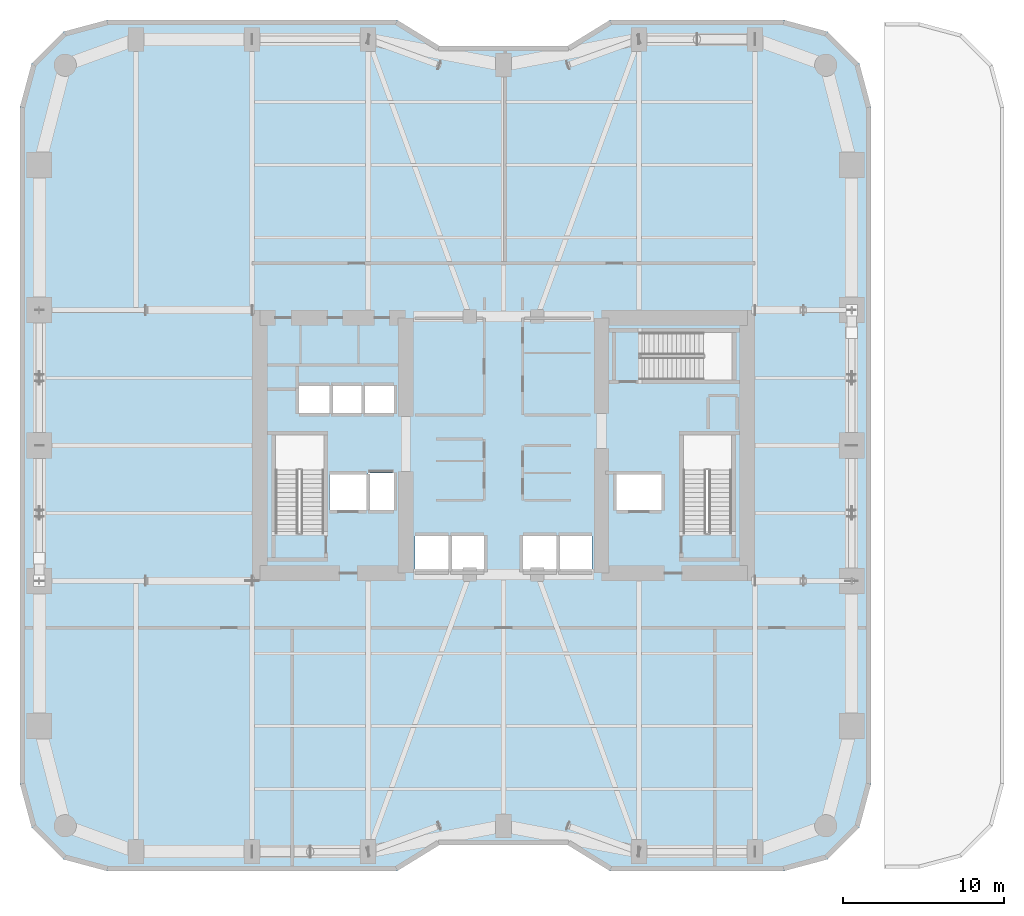
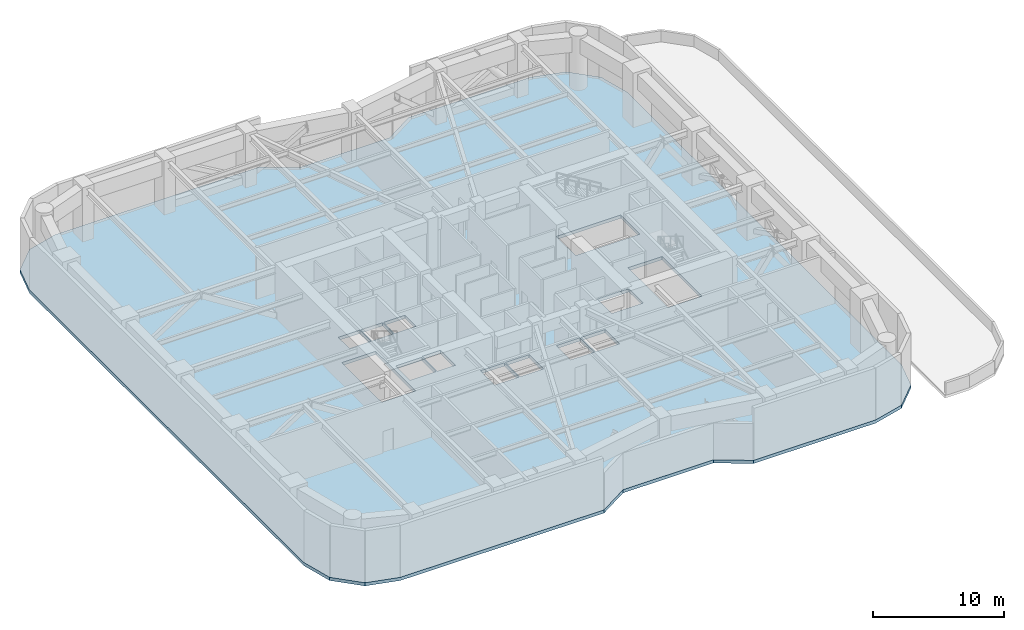
# One storey, part 4 of 16: 1 slab.
"""IFC4 building model written with IfcOpenShell, lengths in metres."""

from ifc_helpers import new_model, si_unit, direction, frame, origin, place, context, subcontext, project, spatial, polyline, outline, extrude, material, layer, layer_set, type_object, element, save


model = new_model("IFC4")

# Units and contexts
model_context = context("Model", 3, precision=1e-05, world=origin(), true_north=direction((0.0, 1.0)))
body_context = subcontext(model_context, "Body", "Model", "MODEL_VIEW")
ifc_project = project(units=[si_unit("LENGTHUNIT", "METRE"), si_unit("AREAUNIT", "SQUARE_METRE"), si_unit("VOLUMEUNIT", "CUBIC_METRE"), si_unit("PLANEANGLEUNIT", "RADIAN"), si_unit("MASSUNIT", "GRAM", prefix="KILO")], contexts=[model_context])

# Site, building, storey
site_placement = place(None, origin())
site = spatial("IfcSite", under=ifc_project, at=site_placement, CompositionType="ELEMENT")
building_placement = place(site_placement, origin())
building = spatial("IfcBuilding", under=site, at=building_placement, Name="Kiyonajd Concourse Tower", CompositionType="ELEMENT")
storey_placement = place(building_placement, frame((0.0, 0.0, 80.699951171875)))
storey = spatial("IfcBuildingStorey", under=building, at=storey_placement, Name="L21", CompositionType="ELEMENT", Elevation=80.699951171875)

# Slab
ifc_material = material(Name="Concrete C50/60", Category="concrete")
ifc_layer = layer(ifc_material, 0.300048828125)
ifc_layer_set = layer_set([ifc_layer], Name="Concrete C50/60")
slab_type = type_object("IfcSlabType", Name="SL-MEP-300", PredefinedType="FLOOR", material=ifc_layer_set)
slab_placement = place(storey_placement, frame((0.0, 0.0, -0.300048828125)))
element("IfcSlab", 1, at=slab_placement, inside=storey, type_object=slab_type, Name="L21 Tower Conditioned Floor Slab", PredefinedType="FLOOR", context=body_context, shape_type="SweptSolid", body=[
    extrude(outline(polyline([(18.0, 15.0), (18.722900390625, 12.300048828125), (20.699951171875, 10.322998046875), (23.39990234375, 9.60009765625), (41.39990234375, 9.60009765625), (44.0, 11.199951171875), (52.0, 11.199951171875), (54.60009765625, 9.60009765625), (65.39990234375, 9.60009765625), (68.10009765625, 10.322998046875), (70.076904296875, 12.300048828125), (70.800048828125, 15.0), (70.800048828125, 57.0), (70.076904296875, 59.699951171875), (68.10009765625, 61.677001953125), (65.39990234375, 62.39990234375), (54.60009765625, 62.39990234375), (52.0, 60.800048828125), (44.0, 60.800048828125), (41.39990234375, 62.39990234375), (23.39990234375, 62.39990234375), (20.699951171875, 61.677001953125), (18.722900390625, 59.699951171875), (18.0, 57.0), (18.0, 15.0)]), holes=[polyline([(44.60009765625, 28.199951171875), (42.5, 28.199951171875), (42.5, 30.39990234375), (44.60009765625, 30.39990234375), (44.60009765625, 28.199951171875)]), polyline([(37.199951171875, 32.0), (37.199951171875, 34.199951171875), (39.5, 34.199951171875), (39.5, 32.0), (37.199951171875, 32.0)]), polyline([(39.60009765625, 32.0), (39.60009765625, 34.300048828125), (41.199951171875, 34.300048828125), (41.199951171875, 32.0), (39.60009765625, 32.0)]), polyline([(36.85009765625, 30.550048828125), (33.85009765625, 30.550048828125), (33.85009765625, 36.64990234375), (36.85009765625, 36.64990234375), (36.85009765625, 30.550048828125)]), polyline([(35.300048828125, 38.0), (35.300048828125, 39.699951171875), (37.199951171875, 39.699951171875), (37.199951171875, 38.0), (35.300048828125, 38.0)]), polyline([(37.300048828125, 38.0), (37.300048828125, 39.699951171875), (39.199951171875, 39.699951171875), (39.199951171875, 38.0), (37.300048828125, 38.0)]), polyline([(41.199951171875, 38.0), (39.300048828125, 38.0), (39.300048828125, 39.699951171875), (41.199951171875, 39.699951171875), (41.199951171875, 38.0)]), polyline([(44.699951171875, 28.199951171875), (44.699951171875, 30.39990234375), (46.800048828125, 30.39990234375), (46.800048828125, 28.199951171875), (44.699951171875, 28.199951171875)]), polyline([(49.199951171875, 28.199951171875), (49.199951171875, 30.39990234375), (51.300048828125, 30.39990234375), (51.300048828125, 28.199951171875), (49.199951171875, 28.199951171875)]), polyline([(51.39990234375, 28.199951171875), (51.39990234375, 30.39990234375), (53.5, 30.39990234375), (53.5, 28.199951171875), (51.39990234375, 28.199951171875)]), polyline([(55.0, 32.0), (55.0, 34.199951171875), (57.800048828125, 34.199951171875), (57.800048828125, 32.0), (55.0, 32.0)]), polyline([(59.14990234375, 30.550048828125), (59.14990234375, 36.64990234375), (62.14990234375, 36.64990234375), (62.14990234375, 30.550048828125), (59.14990234375, 30.550048828125)]), polyline([(56.47998046875, 43.02001953125), (62.179931640625, 43.02001953125), (62.179931640625, 40.080078125), (56.47998046875, 40.080078125), (56.47998046875, 43.02001953125)])]), origin(), (0.0, 0.0, 1.0), 0.300048828125),
])

save(model, "model.ifc")
